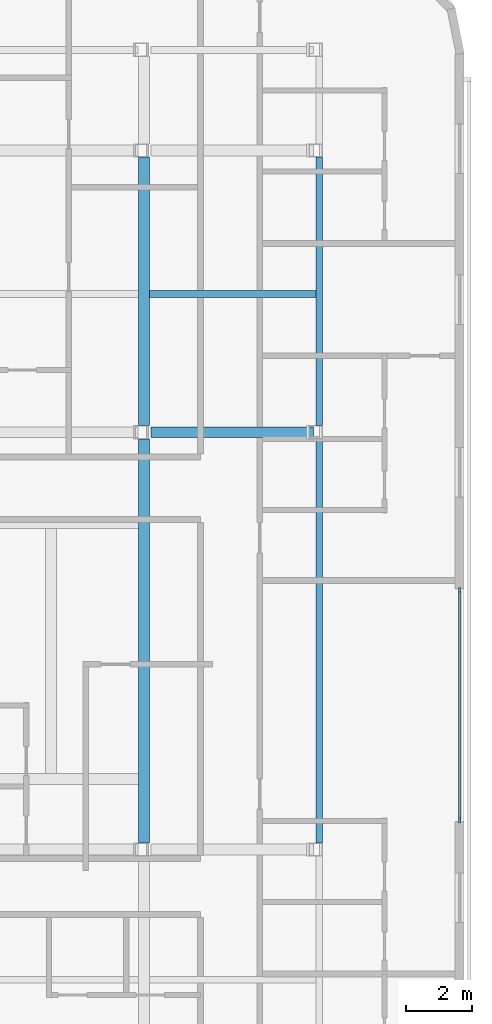
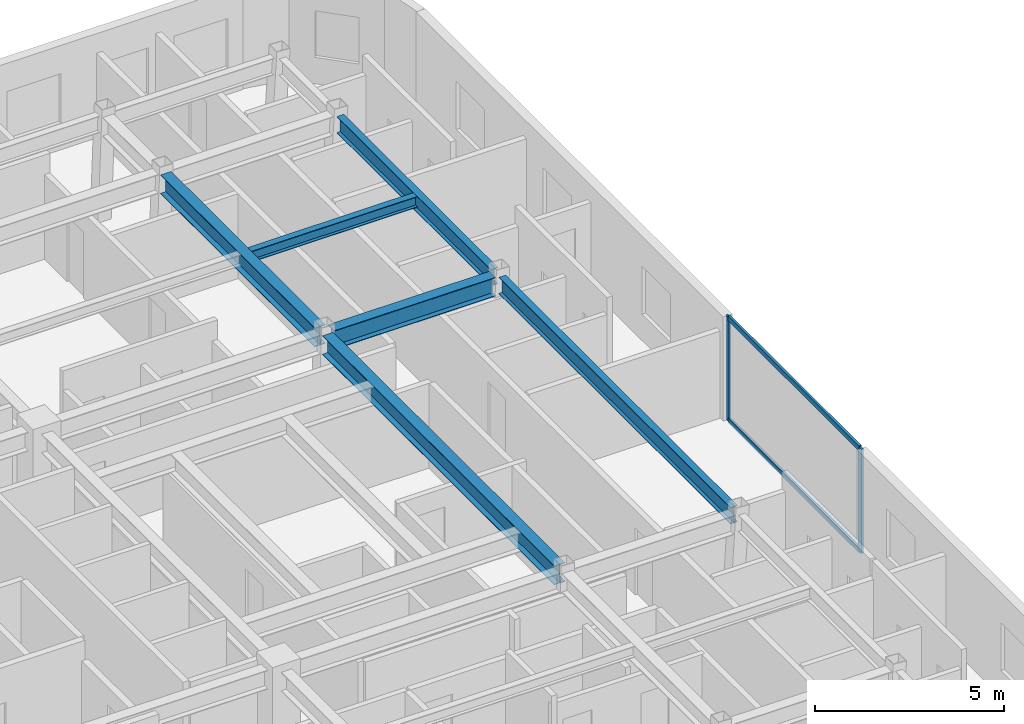
# One storey, part 4 of 14: 6 beams, 4 members, 1 element without a shape of its own.
"""IFC4 building model written with IfcOpenShell, lengths in metres."""

from ifc_helpers import new_model, si_unit, direction, frame, origin, origin_2d, place, context, subcontext, project, spatial, rectangle, i_section, extrude, material, layer, layer_set, material_profile, profile_set, type_object, element, aggregate, save


model = new_model("IFC4")

# Units and contexts
model_context = context("Model", 3, precision=1e-05, world=origin(), true_north=direction((0.0, 1.0)))
body_context = subcontext(model_context, "Body", "Model", "MODEL_VIEW")
ifc_project = project(units=[si_unit("LENGTHUNIT", "METRE"), si_unit("AREAUNIT", "SQUARE_METRE"), si_unit("VOLUMEUNIT", "CUBIC_METRE"), si_unit("PLANEANGLEUNIT", "RADIAN"), si_unit("MASSUNIT", "GRAM", prefix="KILO")], contexts=[model_context])

# Site, building, storey
site_placement = place(None, origin())
site = spatial("IfcSite", under=ifc_project, at=site_placement, CompositionType="ELEMENT")
building_placement = place(site_placement, origin())
building = spatial("IfcBuilding", under=site, at=building_placement, Name="Ochreholt Gables", CompositionType="ELEMENT")
storey_placement = place(building_placement, frame((0.0, 0.0, 109.800048828125)))
storey = spatial("IfcBuildingStorey", under=building, at=storey_placement, Name="L28", CompositionType="ELEMENT", Elevation=109.800048828125)

# Beams
ifc_material_1 = material(Name="Steel CSA G40.21 350W", Category="steel")
ifc_material_profile_1 = material_profile(ifc_material_1, i_section(OverallWidth=0.323974609375, OverallDepth=0.611083984375, WebThickness=0.0126953125, FlangeThickness=0.01904296875, at=origin_2d()), Name="W610X155")
ifc_profile_set_1 = profile_set([ifc_material_profile_1], Name="Steel CSA G40.21 350W")
beam_type_1 = type_object("IfcBeamType", Name="BM-G-W610A", PredefinedType="BEAM", material=ifc_profile_set_1)
beam_1_placement = place(storey_placement, frame((44.107666015625, 30.199951171875, 3.054443359375), z_axis=(1.0, 0.0, 0.0), x_axis=(0.0, 1.0, 0.0)))
element("IfcBeam", 1, at=beam_1_placement, inside=storey, type_object=beam_type_1, Name="L28 Beam TBG-L28-EMEE-Y4", PredefinedType="BEAM", context=body_context, shape_type="SweptSolid", body=[
    extrude(i_section(OverallWidth=0.323974609375, OverallDepth=0.611083984375, WebThickness=0.0126953125, FlangeThickness=0.01904296875, at=origin_2d()), origin(), (0.0, 0.0, 1.0), 4.923828125),
])
beam_2_placement = place(storey_placement, frame((43.887939453125, 17.752685546875, 3.054443359375), z_axis=(0.0, 1.0, 0.0), x_axis=(-1.0, 0.0, 0.0)))
element("IfcBeam", 2, at=beam_2_placement, inside=storey, type_object=beam_type_1, Name="L28 Beam TBN-L28-EM-Y3Y4", PredefinedType="BEAM", context=body_context, shape_type="SweptSolid", body=[
    extrude(i_section(OverallWidth=0.323974609375, OverallDepth=0.611083984375, WebThickness=0.0126953125, FlangeThickness=0.01904296875, at=origin_2d()), origin(), (0.0, 0.0, 1.0), 12.24462890625),
])
beam_3_placement = place(storey_placement, frame((43.887939453125, 30.402587890625, 3.054443359375), z_axis=(0.0, 1.0, 0.0), x_axis=(-1.0, 0.0, 0.0)))
element("IfcBeam", 3, at=beam_3_placement, inside=storey, type_object=beam_type_1, Name="L28 Beam TBN-L28-EM-Y4Y5", PredefinedType="BEAM", context=body_context, shape_type="SweptSolid", body=[
    extrude(i_section(OverallWidth=0.323974609375, OverallDepth=0.611083984375, WebThickness=0.0126953125, FlangeThickness=0.01904296875, at=origin_2d()), origin(), (0.0, 0.0, 1.0), 8.144775390625),
])
ifc_material_profile_2 = material_profile(ifc_material_1, i_section(OverallWidth=0.205078125, OverallDepth=0.35400390625, WebThickness=0.009521484375, FlangeThickness=0.016845703125, at=origin_2d()), Name="W360X79")
ifc_profile_set_2 = profile_set([ifc_material_profile_2], Name="Steel CSA G40.21 350W")
beam_type_2 = type_object("IfcBeamType", Name="BM-J-W360A", PredefinedType="JOIST", material=ifc_profile_set_2)
beam_4_placement = place(storey_placement, frame((44.049560546875, 34.39990234375, 3.182861328125), z_axis=(1.0, 0.0, 0.0), x_axis=(0.0, 1.0, 0.0)))
element("IfcBeam", 4, at=beam_4_placement, inside=storey, type_object=beam_type_2, Name="L28 Beam TBJ-L28-J2-EMEE", PredefinedType="JOIST", context=body_context, shape_type="SweptSolid", body=[
    extrude(i_section(OverallWidth=0.205078125, OverallDepth=0.35400390625, WebThickness=0.009521484375, FlangeThickness=0.016845703125, at=origin_2d()), origin(), (0.0, 0.0, 1.0), 5.052001953125),
])
ifc_material_profile_3 = material_profile(ifc_material_1, i_section(OverallWidth=0.208984375, OverallDepth=0.532958984375, WebThickness=0.01025390625, FlangeThickness=0.015625, at=origin_2d()), Name="W530X92")
ifc_profile_set_3 = profile_set([ifc_material_profile_3], Name="Steel CSA G40.21 350W")
beam_type_3 = type_object("IfcBeamType", Name="BM-SP-W530B", PredefinedType="SPANDREL", material=ifc_profile_set_3)
beam_5_placement = place(storey_placement, frame((49.20556640625, 17.752685546875, 3.093505859375), z_axis=(0.0, 1.0, 0.0), x_axis=(-1.0, 0.0, 0.0)))
element("IfcBeam", 5, at=beam_5_placement, inside=storey, type_object=beam_type_3, Name="L28 Beam TBN-L28-EE-Y3Y4", PredefinedType="SPANDREL", context=body_context, shape_type="SweptSolid", body=[
    extrude(i_section(OverallWidth=0.208984375, OverallDepth=0.532958984375, WebThickness=0.01025390625, FlangeThickness=0.015625, at=origin_2d()), origin(), (0.0, 0.0, 1.0), 12.24462890625),
])
beam_6_placement = place(storey_placement, frame((49.20556640625, 30.402587890625, 3.093505859375), z_axis=(0.0, 1.0, 0.0), x_axis=(-1.0, 0.0, 0.0)))
element("IfcBeam", 6, at=beam_6_placement, inside=storey, type_object=beam_type_3, Name="L28 Beam TBN-L28-EE-Y4Y5", PredefinedType="SPANDREL", context=body_context, shape_type="SweptSolid", body=[
    extrude(i_section(OverallWidth=0.208984375, OverallDepth=0.532958984375, WebThickness=0.01025390625, FlangeThickness=0.015625, at=origin_2d()), origin(), (0.0, 0.0, 1.0), 8.144775390625),
])

# Curtain wall, members
ifc_material_2 = material(Name="Unitised Aluminium and Triple Glazing", Category="aluminium")
ifc_layer = layer(ifc_material_2, 0.18994140625, Name="Unitised Aluminium and Triple Glazing")
ifc_layer_set = layer_set([ifc_layer], Name="Unitised Aluminium and Triple Glazing")
curtain_wall_type = type_object("IfcCurtainWallType", Name="CW-SYS3", PredefinedType="NOTDEFINED", material=ifc_layer_set)
curtain_wall_placement = place(storey_placement, origin())
curtain_wall = element("IfcCurtainWall", 7, at=curtain_wall_placement, inside=storey, type_object=curtain_wall_type, Name="L28 East Unitised Curtain Wall", PredefinedType="NOTDEFINED")
ifc_material_3 = material(Name="Anodized Aluminium 6063-T6", Category="aluminium")
ifc_material_profile_4 = material_profile(ifc_material_3, rectangle(XDim=0.06494140625, YDim=0.1650390625, at=origin_2d()), Name="CWM65X165")
ifc_profile_set_4 = profile_set([ifc_material_profile_4], Name="Anodized Aluminium 6063-T6")
member_type_1 = type_object("IfcMemberType", Name="CW-MUL-B", PredefinedType="MULLION", material=ifc_profile_set_4)
member_1_placement = place(storey_placement, frame((53.4599609375, 18.4326171875, 0.0), z_axis=(0.0, 0.0, 1.0), x_axis=(-1.0, 0.0, 0.0)))
member_1 = element("IfcMember", 8, at=member_1_placement, type_object=member_type_1, Name="CW-3 mullion 1", PredefinedType="MULLION", context=body_context, shape_type="SweptSolid", body=[
    extrude(rectangle(XDim=0.06494140625, YDim=0.1650390625, at=origin_2d()), origin(), (0.0, 0.0, 1.0), 3.35986328125),
])
member_2_placement = place(storey_placement, frame((53.4599609375, 25.42138671875, 0.0), z_axis=(0.0, 0.0, 1.0), x_axis=(-1.0, 0.0, 0.0)))
member_2 = element("IfcMember", 9, at=member_2_placement, type_object=member_type_1, Name="CW-3 mullion 2", PredefinedType="MULLION", context=body_context, shape_type="SweptSolid", body=[
    extrude(rectangle(XDim=0.06494140625, YDim=0.1650390625, at=origin_2d()), origin(), (0.0, 0.0, 1.0), 3.35986328125),
])
ifc_material_profile_5 = material_profile(ifc_material_3, rectangle(XDim=0.074951171875, YDim=0.159912109375, at=origin_2d()), Name="CWT75X160")
ifc_profile_set_5 = profile_set([ifc_material_profile_5], Name="Anodized Aluminium 6063-T6")
member_type_2 = type_object("IfcMemberType", Name="CW-TRN-A", PredefinedType="USERDEFINED", material=ifc_profile_set_5)
member_3_placement = place(storey_placement, frame((53.4599609375, 18.465087890625, 0.037353515625), z_axis=(0.0, 1.0, 0.0), x_axis=(-1.0, 0.0, 0.0)))
member_3 = element("IfcMember", 10, at=member_3_placement, type_object=member_type_2, Name="CW-3 transom 1.1", ObjectType="TRANSOM", PredefinedType="USERDEFINED", context=body_context, shape_type="SweptSolid", body=[
    extrude(rectangle(XDim=0.074951171875, YDim=0.159912109375, at=origin_2d()), origin(), (0.0, 0.0, 1.0), 6.923828125),
])
member_4_placement = place(storey_placement, frame((53.4599609375, 18.465087890625, 3.322509765625), z_axis=(0.0, 1.0, 0.0), x_axis=(-1.0, 0.0, 0.0)))
member_4 = element("IfcMember", 11, at=member_4_placement, type_object=member_type_2, Name="CW-3 transom 1.2", ObjectType="TRANSOM", PredefinedType="USERDEFINED", context=body_context, shape_type="SweptSolid", body=[
    extrude(rectangle(XDim=0.074951171875, YDim=0.159912109375, at=origin_2d()), origin(), (0.0, 0.0, 1.0), 6.923828125),
])
aggregate(curtain_wall, [member_1, member_2, member_3, member_4])

save(model, "model.ifc")
